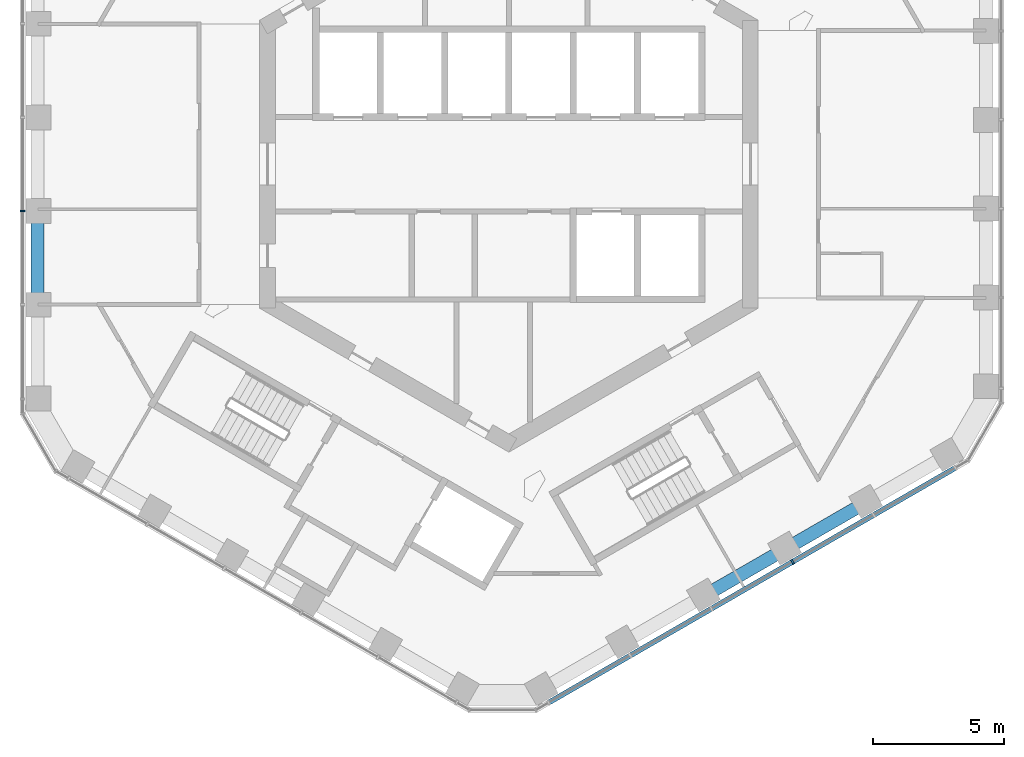
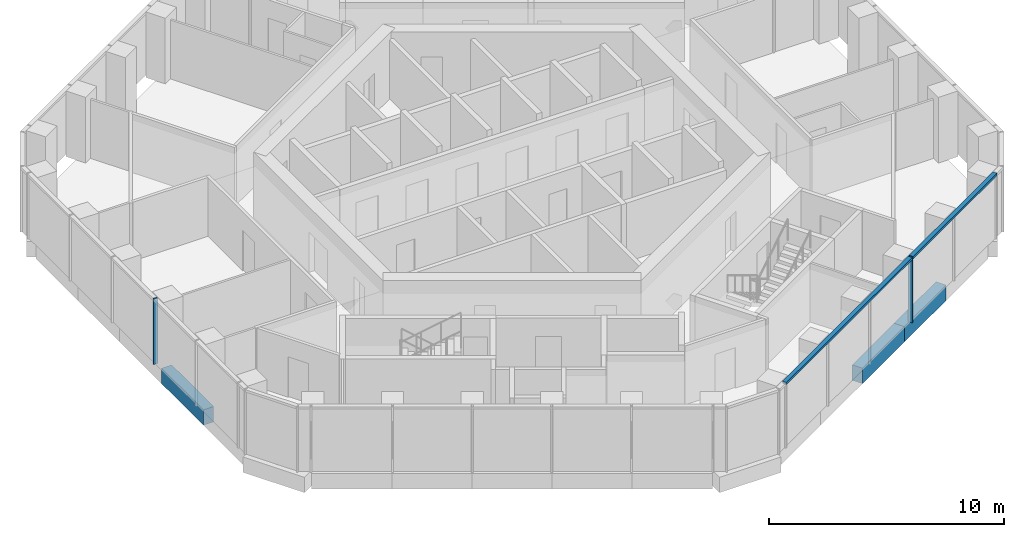
# One storey, part 3 of 18: 3 beams, 3 members, 2 elements without a shape of their own.
"""IFC4 building model written with IfcOpenShell, lengths in metres."""

from ifc_helpers import new_model, si_unit, direction, frame, origin, origin_2d, place, context, subcontext, project, spatial, rectangle, extrude, material, layer, layer_set, material_profile, profile_set, type_object, element, aggregate, save


model = new_model("IFC4")

# Units and contexts
model_context = context("Model", 3, precision=1e-05, world=origin(), true_north=direction((0.0, 1.0)))
body_context = subcontext(model_context, "Body", "Model", "MODEL_VIEW")
ifc_project = project(units=[si_unit("LENGTHUNIT", "METRE"), si_unit("AREAUNIT", "SQUARE_METRE"), si_unit("VOLUMEUNIT", "CUBIC_METRE"), si_unit("PLANEANGLEUNIT", "RADIAN"), si_unit("MASSUNIT", "GRAM", prefix="KILO")], contexts=[model_context])

# Site, building, storey
site_placement = place(None, origin())
site = spatial("IfcSite", under=ifc_project, at=site_placement, CompositionType="ELEMENT")
building_placement = place(site_placement, origin())
building = spatial("IfcBuilding", under=site, at=building_placement, Name="Ayvan Gate Tower", CompositionType="ELEMENT")
storey_placement = place(building_placement, frame((0.0, 0.0, 166.300048828125)))
storey = spatial("IfcBuildingStorey", under=building, at=storey_placement, Name="L44", CompositionType="ELEMENT", Elevation=166.300048828125)

# Beams
ifc_material_1 = material(Name="Concrete C40/50", Category="concrete")
ifc_material_profile_1 = material_profile(ifc_material_1, rectangle(XDim=0.5, YDim=0.800048828125, at=origin_2d()), Name="RC 500x800")
ifc_profile_set_1 = profile_set([ifc_material_profile_1], Name="Concrete C40/50")
beam_type = type_object("IfcBeamType", Name="Spandrel beam RC 500x800 C40/50", PredefinedType="BEAM", material=ifc_profile_set_1)
beam_1_placement = place(storey_placement, frame((-17.962158203125, -1.779541015625, -0.75), z_axis=(0.0, -1.0, 0.0), x_axis=(1.0, 0.0, 0.0)))
element("IfcBeam", 1, at=beam_1_placement, inside=storey, type_object=beam_type, Name="SB-L44-22", PredefinedType="BEAM", context=body_context, shape_type="SweptSolid", body=[
    extrude(rectangle(XDim=0.5, YDim=0.800048828125, at=origin_2d()), origin(), (0.0, 0.0, 1.0), 3.558837890625),
])
beam_2_placement = place(storey_placement, frame((7.43994140625, -16.445556640625, -0.75), z_axis=(0.866026804234, 0.499997574342, 0.0), x_axis=(-0.499997574342, 0.866026804234, 0.0)))
element("IfcBeam", 2, at=beam_2_placement, inside=storey, type_object=beam_type, Name="SB-L44-33", PredefinedType="BEAM", context=body_context, shape_type="SweptSolid", body=[
    extrude(rectangle(XDim=0.5, YDim=0.800048828125, at=origin_2d()), origin(), (0.0, 0.0, 1.0), 3.55908203125),
])
beam_3_placement = place(storey_placement, frame((10.522216796875, -14.666015625, -0.75), z_axis=(0.866009653827, 0.500027278734, 0.0), x_axis=(-0.500027278734, 0.866009653827, 0.0)))
element("IfcBeam", 3, at=beam_3_placement, inside=storey, type_object=beam_type, Name="SB-L44-34", PredefinedType="BEAM", context=body_context, shape_type="SweptSolid", body=[
    extrude(rectangle(XDim=0.5, YDim=0.800048828125, at=origin_2d()), origin(), (0.0, 0.0, 1.0), 3.558837890625),
])

# Curtain wall, member
ifc_material_2 = material(Name="Bronze anodised aluminium", Category="aluminium")
ifc_layer = layer(ifc_material_2, 0.199951171875)
ifc_layer_set = layer_set([ifc_layer], Name="Bronze anodised aluminium")
curtain_wall_type = type_object("IfcCurtainWallType", Name="Stick curtain wall CW-2", PredefinedType="NOTDEFINED", material=ifc_layer_set)
curtain_wall_1_placement = place(storey_placement, origin())
curtain_wall_1 = element("IfcCurtainWall", 4, at=curtain_wall_1_placement, inside=storey, type_object=curtain_wall_type, Name="Stick curtain wall CW-2 L44", PredefinedType="NOTDEFINED")
ifc_material_profile_2 = material_profile(ifc_material_2, rectangle(XDim=0.199951171875, YDim=0.070068359375, at=origin_2d()), Name="Stick curtain wall CW-2 mullion 200 x 70")
ifc_profile_set_2 = profile_set([ifc_material_profile_2], Name="Bronze anodised aluminium")
member_type_1 = type_object("IfcMemberType", Name="Stick curtain wall CW-2 mullion 200 x 70", PredefinedType="MULLION", material=ifc_profile_set_2)
member_1_placement = place(storey_placement, frame((-18.524169921875, -1.7841796875, 0.0), z_axis=(0.0, 0.0, 1.0), x_axis=(-1.0, 0.0, 0.0)))
member_1 = element("IfcMember", 5, at=member_1_placement, type_object=member_type_1, Name="CW-2 mullion 4", PredefinedType="MULLION", context=body_context, shape_type="SweptSolid", body=[
    extrude(rectangle(XDim=0.199951171875, YDim=0.070068359375, at=origin_2d()), origin(), (0.0, 0.0, 1.0), 3.39990234375),
])
aggregate(curtain_wall_1, [member_1])

# Curtain wall, members
curtain_wall_2_placement = place(storey_placement, origin())
curtain_wall_2 = element("IfcCurtainWall", 6, at=curtain_wall_2_placement, inside=storey, type_object=curtain_wall_type, Name="Stick curtain wall CW-2 L44", PredefinedType="NOTDEFINED")
member_2_placement = place(storey_placement, frame((10.807373046875, -15.150146484375, 0.0), z_axis=(0.0, 0.0, 1.0), x_axis=(0.5, -0.866025403784, 0.0)))
member_2 = element("IfcMember", 7, at=member_2_placement, type_object=member_type_1, Name="CW-2 mullion 4", PredefinedType="MULLION", context=body_context, shape_type="SweptSolid", body=[
    extrude(rectangle(XDim=0.199951171875, YDim=0.070068359375, at=origin_2d()), origin(), (0.0, 0.0, 1.0), 3.39990234375),
])
ifc_material_profile_3 = material_profile(ifc_material_2, rectangle(XDim=0.199951171875, YDim=0.1201171875, at=origin_2d()), Name="Stick curtain wall CW-2 transom 200 x 120")
ifc_profile_set_3 = profile_set([ifc_material_profile_3], Name="Bronze anodised aluminium")
member_type_2 = type_object("IfcMemberType", Name="Stick curtain wall CW-2 transom 200 x 120", PredefinedType="USERDEFINED", material=ifc_profile_set_3)
member_3_placement = place(storey_placement, frame((1.514892578125, -20.51513671875, 3.33984375), z_axis=(0.86602856399, 0.499994526324, 0.0), x_axis=(-0.499994526324, 0.86602856399, 0.0)))
member_3 = element("IfcMember", 8, at=member_3_placement, type_object=member_type_2, Name="CW-2 transom 1", ObjectType="TRANSOM", PredefinedType="USERDEFINED", context=body_context, shape_type="SweptSolid", body=[
    extrude(rectangle(XDim=0.199951171875, YDim=0.1201171875, at=origin_2d()), origin(), (0.0, 0.0, 1.0), 17.891357421875),
])
aggregate(curtain_wall_2, [member_2, member_3])

save(model, "model.ifc")
